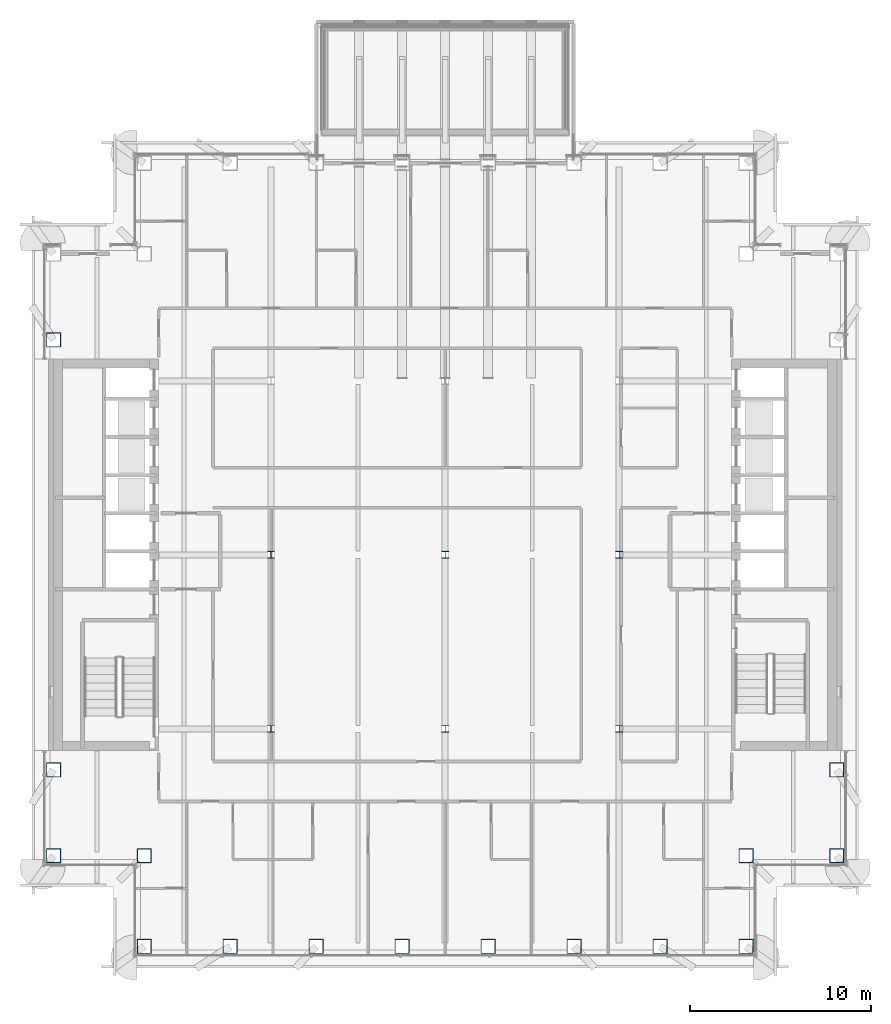
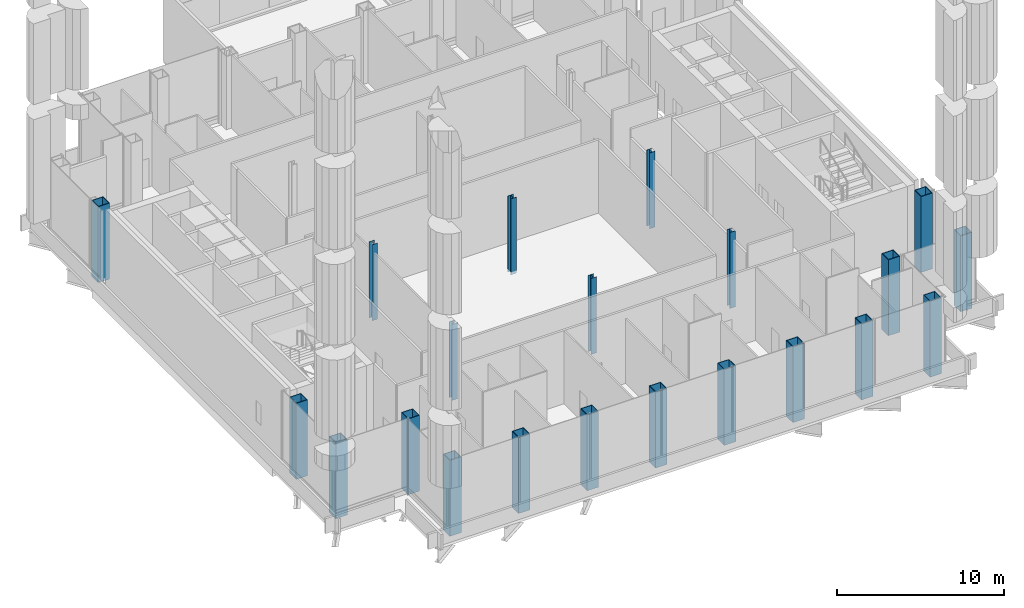
# One storey, part 1 of 22: 21 columns.
"""IFC4 building model written with IfcOpenShell, lengths in metres."""

from ifc_helpers import new_model, si_unit, direction, frame, origin, origin_2d, place, context, subcontext, project, spatial, hollow_rectangle, i_section, extrude, material, material_profile, profile_set, type_object, element, save


model = new_model("IFC4")

# Units and contexts
model_context = context("Model", 3, precision=1e-05, world=origin(), true_north=direction((0.0, 1.0)))
body_context = subcontext(model_context, "Body", "Model", "MODEL_VIEW")
ifc_project = project(units=[si_unit("LENGTHUNIT", "METRE"), si_unit("AREAUNIT", "SQUARE_METRE"), si_unit("VOLUMEUNIT", "CUBIC_METRE"), si_unit("PLANEANGLEUNIT", "RADIAN"), si_unit("MASSUNIT", "GRAM", prefix="KILO")], contexts=[model_context])

# Site, building, storey
site_placement = place(None, origin())
site = spatial("IfcSite", under=ifc_project, at=site_placement, CompositionType="ELEMENT")
building_placement = place(site_placement, origin())
building = spatial("IfcBuilding", under=site, at=building_placement, Name="Cobrizo Arcos Hotel Tower", CompositionType="ELEMENT")
storey_placement = place(building_placement, frame((0.0, 0.0, 142.5)))
storey = spatial("IfcBuildingStorey", under=building, at=storey_placement, Name="L36", CompositionType="ELEMENT", Elevation=142.5)

# Columns
ifc_material_1 = material(Name="Steel ASTM A572 Grade 50", Category="steel")
ifc_material_profile_1 = material_profile(ifc_material_1, hollow_rectangle(XDim=0.800048828125, YDim=0.800048828125, WallThickness=0.044921875, at=origin_2d()), Name="BOX 800X800X45")
ifc_profile_set_1 = profile_set([ifc_material_profile_1], Name="Steel ASTM A572 Grade 50")
column_type_1 = type_object("IfcColumnType", Name="BOX 800X800X45 column", PredefinedType="COLUMN", material=ifc_profile_set_1)
for number, where, z_axis, x_axis, name in (
    (1, (-16.60009765625, -21.60009765625, -0.199951171875), (0.0, 0.0, 1.0), (1.0, 0.0, 0.0), "Perimeter column C8, L36, no. 01"),
    (2, (-11.85693359375, -21.60009765625, -0.199951171875), (0.0, 0.0, 1.0), (1.0, 0.0, 0.0), "Perimeter column C8, L36, no. 03"),
    (3, (-7.114013671875, -21.60009765625, -0.199951171875), (0.0, 0.0, 1.0), (1.0, 0.0, 0.0), "Perimeter column C8, L36, no. 05"),
    (4, (-2.37109375, -21.60009765625, -0.199951171875), (0.0, 0.0, 1.0), (1.0, 0.0, 0.0), "Perimeter column C8, L36, no. 07"),
    (5, (2.37109375, -21.60009765625, -0.199951171875), (0.0, 0.0, 1.0), (1.0, 0.0, 0.0), "Perimeter column C8, L36, no. 09"),
    (6, (7.114013671875, -21.60009765625, -0.199951171875), (0.0, 0.0, 1.0), (1.0, 0.0, 0.0), "Perimeter column C8, L36, no. 11"),
    (7, (11.85693359375, -21.60009765625, -0.199951171875), (0.0, 0.0, 1.0), (1.0, 0.0, 0.0), "Perimeter column C8, L36, no. 13"),
    (8, (16.60009765625, -21.60009765625, -0.199951171875), (0.0, 0.0, 1.0), (1.0, 0.0, 0.0), "Perimeter column C8, L36, no. 15"),
    (9, (21.60009765625, -16.60009765625, -0.199951171875), (0.0, 0.0, 1.0), (1.0, 0.0, 0.0), "Perimeter column C8, L36, no. 16"),
    (10, (-21.60009765625, -16.60009765625, -0.199951171875), (0.0, 0.0, 1.0), (1.0, 0.0, 0.0), "Perimeter column C8, L36, no. 17"),
    (11, (21.60009765625, -11.85693359375, -0.199951171875), (0.0, 0.0, 1.0), (1.0, 0.0, 0.0), "Perimeter column C8, L36, no. 18"),
    (12, (-21.60009765625, -11.85693359375, -0.199951171875), (0.0, 0.0, 1.0), (1.0, 0.0, 0.0), "Perimeter column C8, L36, no. 19"),
    (13, (-21.60009765625, 11.85693359375, -0.199951171875), (0.0, 0.0, 1.0), (1.0, 0.0, 0.0), "Perimeter column C8, L36, no. 21"),
    (14, (-16.60009765625, -16.60009765625, -0.199951171875), (0.0, 0.0, 1.0), (1.0, 0.0, 0.0), "Perimeter column C8, L36, no. 24"),
    (15, (16.60009765625, -16.60009765625, -0.199951171875), (0.0, 0.0, 1.0), (1.0, 0.0, 0.0), "Perimeter column C8, L36, no. 26"),
):
    element("IfcColumn", number, at=place(storey_placement, frame(where, z_axis=z_axis, x_axis=x_axis)), inside=storey, type_object=column_type_1, Name=name, PredefinedType="COLUMN", context=body_context, shape_type="SweptSolid", body=[
        extrude(hollow_rectangle(XDim=0.800048828125, YDim=0.800048828125, WallThickness=0.044921875, at=origin_2d()), origin(), (0.0, 0.0, 1.0), 5.550048828125),
    ])
ifc_material_2 = material(Name="Steel ASTM A992 Grade 50", Category="steel")
ifc_material_profile_2 = material_profile(ifc_material_2, i_section(OverallWidth=0.373291015625, OverallDepth=0.373291015625, WebThickness=0.016357421875, FlangeThickness=0.026123046875, at=origin_2d()), Name="W14X132")
ifc_profile_set_2 = profile_set([ifc_material_profile_2], Name="Steel ASTM A992 Grade 50")
column_type_2 = type_object("IfcColumnType", Name="W14X132 interior column", PredefinedType="COLUMN", material=ifc_profile_set_2)
for number, where, z_axis, x_axis, name in (
    (16, (-9.60009765625, -9.60009765625, -0.199951171875), (0.0, 0.0, 1.0), (1.0, 0.0, 0.0), "Interior column C9, L36, no. 00"),
    (17, (-9.60009765625, 0.0, -0.199951171875), (0.0, 0.0, 1.0), (1.0, 0.0, 0.0), "Interior column C9, L36, no. 01"),
    (18, (0.0, -9.60009765625, -0.199951171875), (0.0, 0.0, 1.0), (1.0, 0.0, 0.0), "Interior column C9, L36, no. 03"),
    (19, (0.0, 0.0, -0.199951171875), (0.0, 0.0, 1.0), (1.0, 0.0, 0.0), "Interior column C9, L36, no. 04"),
    (20, (9.60009765625, -9.60009765625, -0.199951171875), (0.0, 0.0, 1.0), (1.0, 0.0, 0.0), "Interior column C9, L36, no. 06"),
    (21, (9.60009765625, 0.0, -0.199951171875), (0.0, 0.0, 1.0), (1.0, 0.0, 0.0), "Interior column C9, L36, no. 07"),
):
    element("IfcColumn", number, at=place(storey_placement, frame(where, z_axis=z_axis, x_axis=x_axis)), inside=storey, type_object=column_type_2, Name=name, PredefinedType="COLUMN", context=body_context, shape_type="SweptSolid", body=[
        extrude(i_section(OverallWidth=0.373291015625, OverallDepth=0.373291015625, WebThickness=0.016357421875, FlangeThickness=0.026123046875, at=origin_2d()), origin(), (0.0, 0.0, 1.0), 5.550048828125),
    ])

save(model, "model.ifc")
